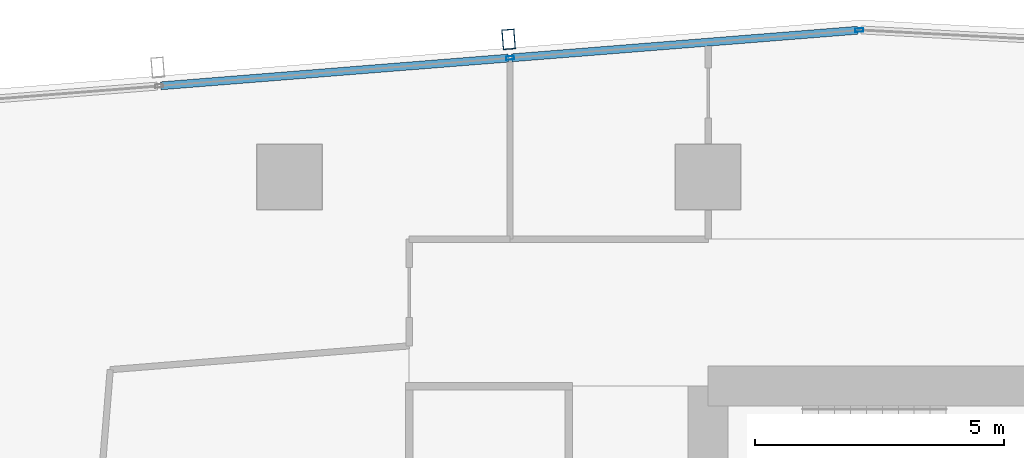
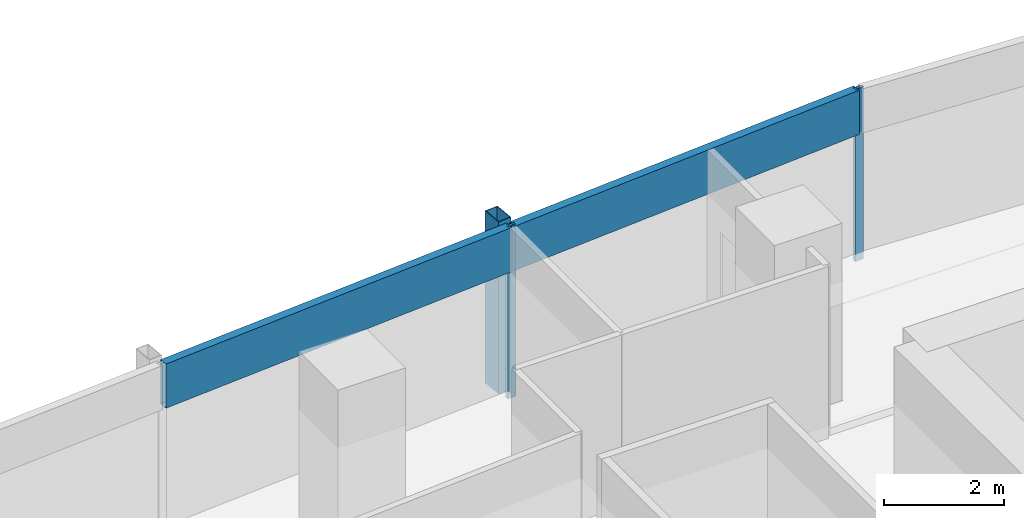
# One storey, part 16 of 29: 5 members, 1 element without a shape of its own.
"""IFC4 building model written with IfcOpenShell, lengths in metres."""

import ifcopenshell
import ifcopenshell.guid

model = None  # the IFC model being written
_history = None  # IfcOwnerHistory: only IFC2X3 demands one
_inside = {}  # id of a spatial element -> (the spatial element, [elements in it])
_under = {}  # id of a project, library or spatial element -> (it, [spatial elements below it])
_declared = {}  # id of a project -> (the project, [libraries it declares])
_typed = {}  # id of a type object -> (the type object, [elements of that type])
_made_of = {}  # id of a material, layer set ... -> (it, [elements and type objects made of it])


def new_model(schema):
    """Start an empty IFC model of exactly this schema.

    Asked for "IFC4X3", IfcOpenShell would pick the latest addendum, in which some entities
    have other attributes; the version numbers below select the first issue.
    IFC2X3 requires an IfcOwnerHistory on every rooted entity: one is made here for all.
    """
    global model, _history
    if schema == "IFC4X3":
        model = ifcopenshell.file(schema_version=(4, 3, 0, 0))
    else:
        model = ifcopenshell.file(schema=schema)
    _inside.clear()
    _under.clear()
    _declared.clear()
    _typed.clear()
    _made_of.clear()
    _history = None
    if model.schema == "IFC2X3":
        org = make("IfcOrganization", Name="unknown")
        user = make(
            "IfcPersonAndOrganization",
            ThePerson=make("IfcPerson", FamilyName="unknown"),
            TheOrganization=org,
        )
        app = make(
            "IfcApplication",
            ApplicationDeveloper=org,
            Version="unknown",
            ApplicationFullName="unknown",
            ApplicationIdentifier="unknown",
        )
        _history = make(
            "IfcOwnerHistory",
            OwningUser=user,
            OwningApplication=app,
            ChangeAction="ADDED",
            CreationDate=0,
        )
    return model


def make(cls, **values):
    """One entity of the class cls with the attributes given. An attribute that is None is left unset."""
    return model.create_entity(
        cls, **{name: value for name, value in values.items() if value is not None}
    )


def rooted(cls, **values):
    """An entity with a GlobalId (a new one), such as an element, a storey or a relation."""
    return make(cls, GlobalId=ifcopenshell.guid.new(), OwnerHistory=_history, **values)


def si_unit(unit_type, name, prefix=None):
    """IfcSIUnit, for example si_unit("LENGTHUNIT", "METRE", prefix="MILLI")."""
    return make("IfcSIUnit", UnitType=unit_type, Prefix=prefix, Name=name)


def assignment(units):
    """IfcUnitAssignment: the units of a project."""
    return None if units is None else make("IfcUnitAssignment", Units=units)


def point(xyz):
    """IfcCartesianPoint."""
    return None if xyz is None else make("IfcCartesianPoint", Coordinates=xyz)


def direction(xyz):
    """IfcDirection."""
    return None if xyz is None else make("IfcDirection", DirectionRatios=xyz)


def frame(location, z_axis=None, x_axis=None):
    """IfcAxis2Placement3D, a coordinate frame: its origin and axes. An axis left out is left unset."""
    return make(
        "IfcAxis2Placement3D",
        Location=point(location),
        Axis=direction(z_axis),
        RefDirection=direction(x_axis),
    )


def frame_2d(location, x_axis=None):
    """IfcAxis2Placement2D, a coordinate frame in the plane: its origin and x axis."""
    return make(
        "IfcAxis2Placement2D", Location=point(location), RefDirection=direction(x_axis)
    )


def origin():
    """The frame at (0, 0, 0) with its axes left unset."""
    return frame((0.0, 0.0, 0.0))


def origin_2d():
    """The frame at (0, 0) in the plane with its x axis left unset."""
    return frame_2d((0.0, 0.0))


def place(relative_to, where):
    """IfcLocalPlacement: puts the frame where relative to a parent placement (None: the world)."""
    return make(
        "IfcLocalPlacement", PlacementRelTo=relative_to, RelativePlacement=where
    )


def context(
    kind, dimensions, precision=None, world=None, true_north=None, identifier=None
):
    """IfcGeometricRepresentationContext, for example the 3D "Model" context."""
    return make(
        "IfcGeometricRepresentationContext",
        ContextIdentifier=identifier,
        ContextType=kind,
        CoordinateSpaceDimension=dimensions,
        Precision=precision,
        WorldCoordinateSystem=world,
        TrueNorth=true_north,
    )


def subcontext(parent, identifier, kind, view, scale=None):
    """IfcGeometricRepresentationSubContext, for example "Body" below "Model"."""
    return make(
        "IfcGeometricRepresentationSubContext",
        ContextIdentifier=identifier,
        ContextType=kind,
        ParentContext=parent,
        TargetScale=scale,
        TargetView=view,
    )


def project(units=None, contexts=None):
    """IfcProject with its units and contexts."""
    return rooted(
        "IfcProject",
        Name="project",
        RepresentationContexts=contexts,
        UnitsInContext=assignment(units),
    )


def spatial(cls, under=None, at=None, **own):
    """A site, building, storey or space (cls), placed at a placement, below another one or the project."""
    s = rooted(cls, ObjectPlacement=at, **own)
    if under is not None:
        _under.setdefault(under.id(), (under, []))[1].append(s)
    return s


def profile(cls, at=None, kind="AREA", **sizes):
    """A parametric profile (cls). Its sizes go by their IFC names, for example OverallWidth=200.0."""
    return make(cls, ProfileType=kind, Position=at, **sizes)


def hollow_rectangle(**sizes):
    """IfcRectangleHollowProfileDef."""
    return profile("IfcRectangleHollowProfileDef", **sizes)


def extrude(swept, where, along, depth):
    """IfcExtrudedAreaSolid: the profile swept, set in the frame where, extruded along a direction by depth."""
    return make(
        "IfcExtrudedAreaSolid",
        SweptArea=swept,
        Position=where,
        ExtrudedDirection=direction(along),
        Depth=depth,
    )


def shape(context_of_items, identifier, shape_type, items):
    """IfcShapeRepresentation: the items that make up one representation, for example the "Body"."""
    return make(
        "IfcShapeRepresentation",
        ContextOfItems=context_of_items,
        RepresentationIdentifier=identifier,
        RepresentationType=shape_type,
        Items=items,
    )


def material(Name=None, Category=None):
    """IfcMaterial."""
    return make("IfcMaterial", Name=Name, Category=Category)


def material_profile(
    of_material, cross_section, Name=None, Category=None, Priority=None
):
    """IfcMaterialProfile: a cross section and its material."""
    return make(
        "IfcMaterialProfile",
        Name=Name,
        Material=of_material,
        Profile=cross_section,
        Priority=Priority,
        Category=Category,
    )


def profile_set(profiles, Name=None, composite=None):
    """IfcMaterialProfileSet."""
    return make(
        "IfcMaterialProfileSet",
        Name=Name,
        MaterialProfiles=profiles,
        CompositeProfile=composite,
    )


def made_of(thing, what):
    """Note that an element or type object is made of a material, layer set ...; save() writes the relation."""
    if what is not None:
        _made_of.setdefault(what.id(), (what, []))[1].append(thing)
    return thing


def type_object(cls, material=None, **own):
    """A type object (cls), such as IfcWallType, which elements share."""
    return made_of(rooted(cls, **own), material)


def element(
    cls,
    number,
    at=None,
    inside=None,
    cuts=None,
    type_object=None,
    material=None,
    context=None,
    identifier="Body",
    shape_type=None,
    held_by="IfcProductDefinitionShape",
    body=None,
    shapes=None,
    **own,
):
    """One element of the class cls, such as IfcWall. Its Tag is "e" and its number.

    at: its placement. inside: the storey or other place that contains it. cuts: it is an
    opening in that element (IfcRelVoidsElement). A single representation is given by context,
    identifier, shape_type and body (its items); several are given by shapes. held_by: the class
    of the entity that holds the representations. save() writes the other relations.
    """
    e = rooted(cls, Tag="e%d" % number, ObjectPlacement=at, **own)
    if body is not None:
        shapes = [shape(context, identifier, shape_type, body)]
    if shapes is not None:
        e.Representation = make(held_by, Representations=shapes)
    if inside is not None:
        _inside.setdefault(inside.id(), (inside, []))[1].append(e)
    if cuts is not None:
        rooted(
            "IfcRelVoidsElement", RelatingBuildingElement=cuts, RelatedOpeningElement=e
        )
    if type_object is not None:
        _typed.setdefault(type_object.id(), (type_object, []))[1].append(e)
    return made_of(e, material)


def aggregate(whole, parts):
    """IfcRelAggregates: a whole, such as a stair, and the parts it consists of."""
    return rooted("IfcRelAggregates", RelatingObject=whole, RelatedObjects=parts)


def save(model, path):
    """Write the relations noted so far, then the file.

    IfcRelAggregates (storeys below a building ...), IfcRelContainedInSpatialStructure (elements
    in a storey), IfcRelDefinesByType, IfcRelAssociatesMaterial and IfcRelDeclares: one each for
    every whole, place, type object, material and project.
    """
    for whole, parts in _under.values():
        aggregate(whole, parts)
    for where, things in _inside.values():
        rooted(
            "IfcRelContainedInSpatialStructure",
            RelatedElements=things,
            RelatingStructure=where,
        )
    for kind, things in _typed.values():
        rooted("IfcRelDefinesByType", RelatedObjects=things, RelatingType=kind)
    for what, things in _made_of.values():
        rooted("IfcRelAssociatesMaterial", RelatedObjects=things, RelatingMaterial=what)
    for by, libraries in _declared.values():
        rooted("IfcRelDeclares", RelatingContext=by, RelatedDefinitions=libraries)
    model.write(path)


model = new_model("IFC4")

# Units and contexts
model_context = context("Model", 3, precision=1e-05, world=origin(), true_north=direction((0.0, 1.0)))
body_context = subcontext(model_context, "Body", "Model", "MODEL_VIEW")
ifc_project = project(units=[si_unit("LENGTHUNIT", "METRE"), si_unit("AREAUNIT", "SQUARE_METRE"), si_unit("VOLUMEUNIT", "CUBIC_METRE"), si_unit("PLANEANGLEUNIT", "RADIAN"), si_unit("MASSUNIT", "GRAM", prefix="KILO")], contexts=[model_context])

# Site, building, storey
site_placement = place(None, origin())
site = spatial("IfcSite", under=ifc_project, at=site_placement, CompositionType="ELEMENT")
building_placement = place(site_placement, origin())
building = spatial("IfcBuilding", under=site, at=building_placement, Name="Rekha Terrace Tower", CompositionType="ELEMENT")
storey_placement = place(building_placement, frame((0.0, 0.0, 280.10009765625)))
storey = spatial("IfcBuildingStorey", under=building, at=storey_placement, Name="L71", CompositionType="ELEMENT", Elevation=280.10009765625)

# Curtain wall, members
ifc_material_1 = material(Name="Aluminium framing", Category="aluminium")
curtain_wall_type = type_object("IfcCurtainWallType", Name="CW3 north unitised glazing", PredefinedType="USERDEFINED", material=ifc_material_1)
curtain_wall_placement = place(storey_placement, origin())
curtain_wall = element("IfcCurtainWall", 1, at=curtain_wall_placement, inside=storey, type_object=curtain_wall_type, Name="CW3 unitised curtain wall", ObjectType="UNITISED CURTAIN WALL", PredefinedType="USERDEFINED")
ifc_material_2 = material(Name="Steel S355 with fluorocarbon finish", Category="steel")
ifc_material_profile_1 = material_profile(ifc_material_2, hollow_rectangle(XDim=0.25, YDim=0.39990234375, WallThickness=0.012451171875, at=origin_2d()), Name="RHS400x250x12.5")
ifc_profile_set_1 = profile_set([ifc_material_profile_1], Name="Steel S355 with fluorocarbon finish")
member_type_1 = type_object("IfcMemberType", Name="BL1 facade blade RHS 400 x 250", PredefinedType="USERDEFINED", material=ifc_profile_set_1)
member_1_placement = place(storey_placement, frame((21.197021484375, 53.16162109375, 0.0), z_axis=(0.0, 0.0, 1.0), x_axis=(-0.996836012392, -0.079485623849, 0.0)))
member_1 = element("IfcMember", 2, at=member_1_placement, type_object=member_type_1, Name="Facade blade", ObjectType="FACADE BLADE", PredefinedType="USERDEFINED", context=body_context, shape_type="SweptSolid", body=[
    extrude(hollow_rectangle(XDim=0.25, YDim=0.39990234375, WallThickness=0.012451171875, at=origin_2d()), origin(), (0.0, 0.0, 1.0), 3.5),
])
ifc_material_3 = material(Name="Aluminium mullion section", Category="aluminium")
ifc_material_profile_2 = material_profile(ifc_material_3, hollow_rectangle(XDim=0.070068359375, YDim=0.159912109375, WallThickness=0.00390625, at=origin_2d()), Name="AL RHS 70x160")
ifc_profile_set_2 = profile_set([ifc_material_profile_2], Name="Aluminium mullion section")
member_type_2 = type_object("IfcMemberType", Name="CW3 mullion RHS 70 x 160", PredefinedType="MULLION", material=ifc_profile_set_2)
member_2_placement = place(storey_placement, frame((28.23779296875, 53.3466796875, 0.0), z_axis=(0.0, 0.0, 1.0), x_axis=(0.07948505154, -0.996836058026, 0.0)))
member_2 = element("IfcMember", 3, at=member_2_placement, type_object=member_type_2, Name="CW3 mullion 1", PredefinedType="MULLION", context=body_context, shape_type="SweptSolid", body=[
    extrude(hollow_rectangle(XDim=0.070068359375, YDim=0.159912109375, WallThickness=0.00390625, at=origin_2d()), origin(), (0.0, 0.0, 1.0), 3.5),
])
member_3_placement = place(storey_placement, frame((21.22705078125, 52.787841796875, 0.0), z_axis=(0.0, 0.0, 1.0), x_axis=(0.07948505154, -0.996836058026, 0.0)))
member_3 = element("IfcMember", 4, at=member_3_placement, type_object=member_type_2, Name="CW3 mullion 2", PredefinedType="MULLION", context=body_context, shape_type="SweptSolid", body=[
    extrude(hollow_rectangle(XDim=0.070068359375, YDim=0.159912109375, WallThickness=0.00390625, at=origin_2d()), origin(), (0.0, 0.0, 1.0), 3.5),
])
ifc_material_4 = material(Name="Insulated aluminium spandrel box", Category="aluminium")
ifc_material_profile_3 = material_profile(ifc_material_4, hollow_rectangle(XDim=0.159912109375, YDim=0.89990234375, WallThickness=0.0029296875, at=origin_2d()), Name="AL SPANDREL BOX 160x900")
ifc_profile_set_3 = profile_set([ifc_material_profile_3], Name="Insulated aluminium spandrel box")
member_type_3 = type_object("IfcMemberType", Name="CW3 spandrel transom 160 x 900", PredefinedType="USERDEFINED", material=ifc_profile_set_3)
member_4_placement = place(storey_placement, frame((28.202880859375, 53.343994140625, 3.0498046875), z_axis=(-0.996836091906, -0.079484626652, 0.0), x_axis=(0.079484626652, -0.996836091906, 0.0)))
member_4 = element("IfcMember", 5, at=member_4_placement, type_object=member_type_3, Name="CW3 spandrel transom 1", ObjectType="TRANSOM", PredefinedType="USERDEFINED", context=body_context, shape_type="SweptSolid", body=[
    extrude(hollow_rectangle(XDim=0.159912109375, YDim=0.89990234375, WallThickness=0.0029296875, at=origin_2d()), origin(), (0.0, 0.0, 1.0), 6.963134765625),
])
member_5_placement = place(storey_placement, frame((21.192138671875, 52.784912109375, 3.0498046875), z_axis=(-0.996837204037, -0.079470677917, 0.0), x_axis=(0.079470677917, -0.996837204037, 0.0)))
member_5 = element("IfcMember", 6, at=member_5_placement, type_object=member_type_3, Name="CW3 spandrel transom 2", ObjectType="TRANSOM", PredefinedType="USERDEFINED", context=body_context, shape_type="SweptSolid", body=[
    extrude(hollow_rectangle(XDim=0.159912109375, YDim=0.89990234375, WallThickness=0.0029296875, at=origin_2d()), origin(), (0.0, 0.0, 1.0), 6.998291015625),
])
aggregate(curtain_wall, [member_2, member_3, member_4, member_5, member_1])

save(model, "model.ifc")
